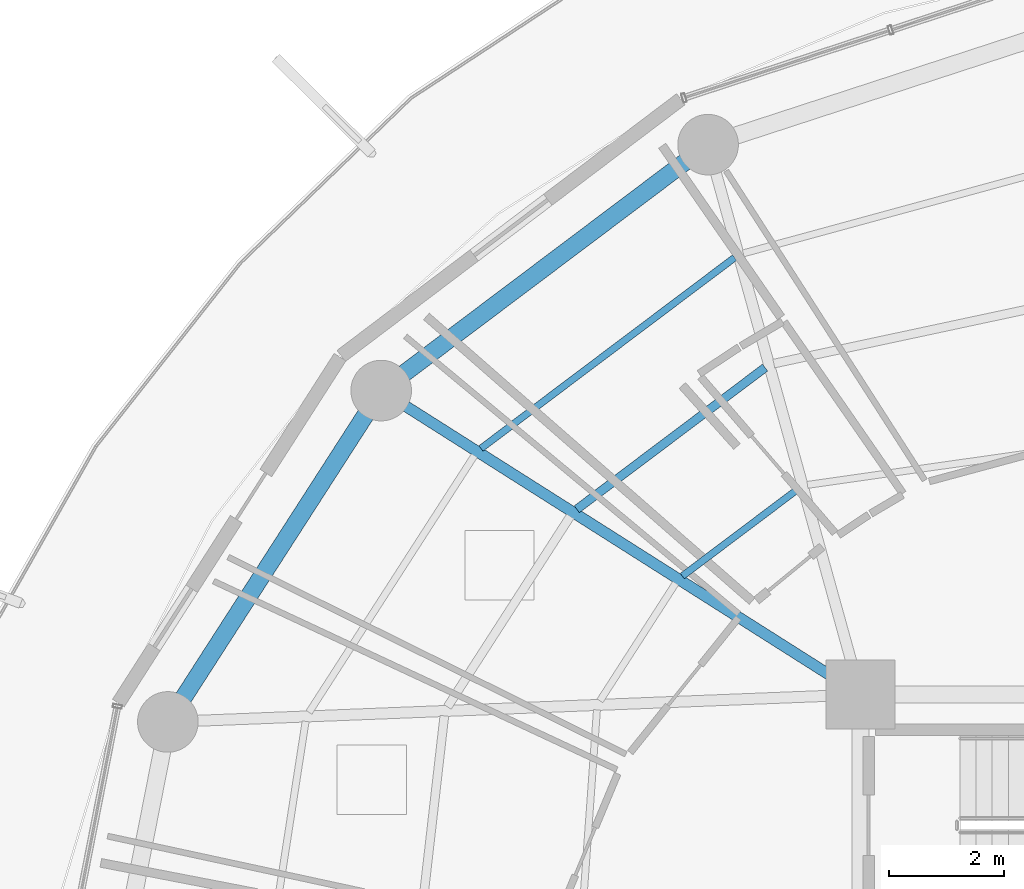
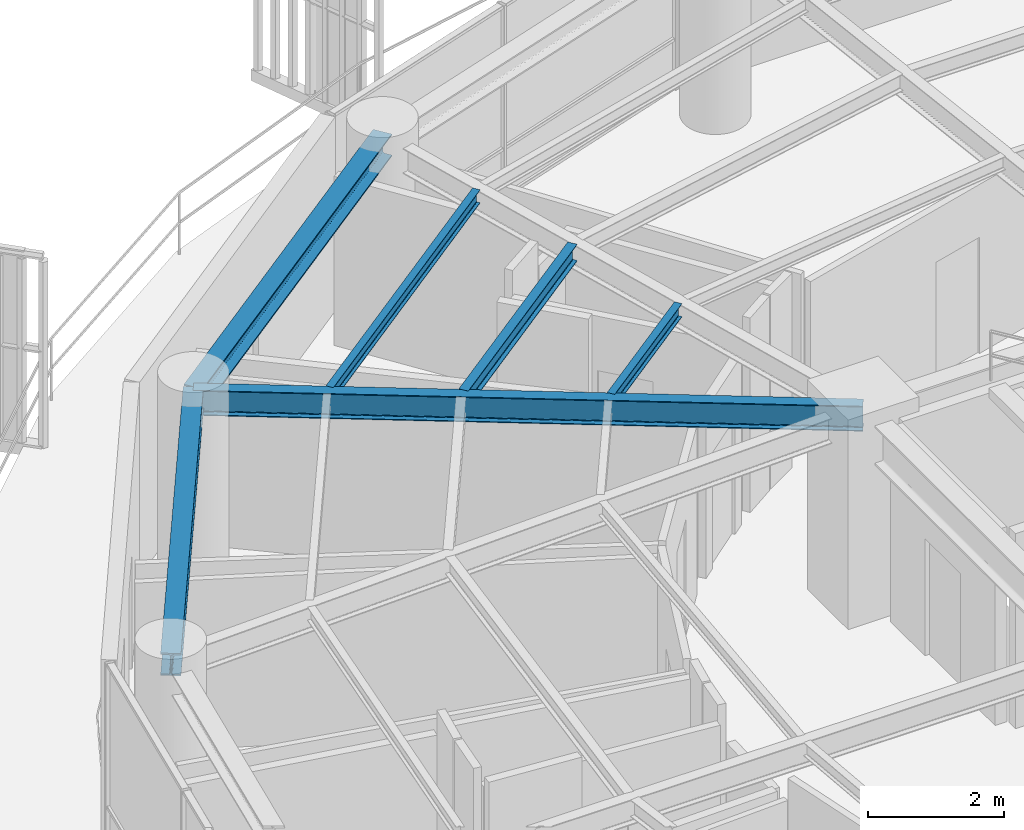
# One storey, part 17 of 31: 6 beams.
"""IFC4 building model written with IfcOpenShell, lengths in metres."""

from ifc_helpers import new_model, si_unit, direction, frame, origin, origin_2d, place, context, subcontext, project, spatial, i_section, extrude, material, material_profile, profile_set, type_object, element, save


model = new_model("IFC4")

# Units and contexts
model_context = context("Model", 3, precision=1e-05, world=origin(), true_north=direction((0.0, 1.0)))
body_context = subcontext(model_context, "Body", "Model", "MODEL_VIEW")
ifc_project = project(units=[si_unit("LENGTHUNIT", "METRE"), si_unit("AREAUNIT", "SQUARE_METRE"), si_unit("VOLUMEUNIT", "CUBIC_METRE"), si_unit("PLANEANGLEUNIT", "RADIAN"), si_unit("MASSUNIT", "GRAM", prefix="KILO")], contexts=[model_context])

# Site, building, storey
site_placement = place(None, origin())
site = spatial("IfcSite", under=ifc_project, at=site_placement, CompositionType="ELEMENT")
building_placement = place(site_placement, origin())
building = spatial("IfcBuilding", under=site, at=building_placement, Name="Kelanora Arch Commons", CompositionType="ELEMENT")
storey_placement = place(building_placement, frame((0.0, 0.0, 196.949951171875)))
storey = spatial("IfcBuildingStorey", under=building, at=storey_placement, Name="L50", CompositionType="ELEMENT", Elevation=196.949951171875)

# Beams
ifc_material = material(Name="Steel S355", Category="steel")
ifc_material_profile_1 = material_profile(ifc_material, i_section(OverallWidth=0.14990234375, OverallDepth=0.300048828125, WebThickness=0.007080078125, FlangeThickness=0.0107421875, FilletRadius=0.014892578125, at=origin_2d()), Name="IPE300")
ifc_profile_set_1 = profile_set([ifc_material_profile_1], Name="Steel S355")
beam_type_1 = type_object("IfcBeamType", Name="BM-JST-01", PredefinedType="JOIST", material=ifc_profile_set_1)
beam_1_placement = place(storey_placement, frame((64.34814453125, 70.6630859375, 3.340087890625), z_axis=(-0.799101708656, -0.601195857624, 0.0), x_axis=(0.601195857624, -0.799101708656, 0.0)))
element("IfcBeam", 1, at=beam_1_placement, inside=storey, type_object=beam_type_1, Name="Secondary Chord Joist BJB-12 L50", PredefinedType="JOIST", context=body_context, shape_type="SweptSolid", body=[
    extrude(i_section(OverallWidth=0.14990234375, OverallDepth=0.300048828125, WebThickness=0.007080078125, FlangeThickness=0.0107421875, FilletRadius=0.014892578125, at=origin_2d()), origin(), (0.0, 0.0, 1.0), 4.080810546875),
])
ifc_material_profile_2 = material_profile(ifc_material, i_section(OverallWidth=0.1201171875, OverallDepth=0.239990234375, WebThickness=0.006103515625, FlangeThickness=0.009765625, FilletRadius=0.014892578125, at=origin_2d()), Name="IPE240")
ifc_profile_set_2 = profile_set([ifc_material_profile_2], Name="Steel S355")
beam_type_2 = type_object("IfcBeamType", Name="BM-JST-02", PredefinedType="JOIST", material=ifc_profile_set_2)
beam_2_placement = place(storey_placement, frame((64.928955078125, 68.56787109375, 3.3701171875), z_axis=(-0.79911638933, -0.601176343766, 0.0), x_axis=(0.601176343766, -0.79911638933, 0.0)))
element("IfcBeam", 2, at=beam_2_placement, inside=storey, type_object=beam_type_2, Name="Secondary Chord Joist BJA-12 L50", PredefinedType="JOIST", context=body_context, shape_type="SweptSolid", body=[
    extrude(i_section(OverallWidth=0.1201171875, OverallDepth=0.239990234375, WebThickness=0.006103515625, FlangeThickness=0.009765625, FilletRadius=0.014892578125, at=origin_2d()), origin(), (0.0, 0.0, 1.0), 2.522216796875),
])
beam_3_placement = place(storey_placement, frame((63.820068359375, 72.56787109375, 3.3701171875), z_axis=(-0.799109197935, -0.601185902842, 0.0), x_axis=(0.601185902842, -0.799109197935, 0.0)))
element("IfcBeam", 3, at=beam_3_placement, inside=storey, type_object=beam_type_2, Name="Secondary Chord Joist BJC-12 L50", PredefinedType="JOIST", context=body_context, shape_type="SweptSolid", body=[
    extrude(i_section(OverallWidth=0.1201171875, OverallDepth=0.239990234375, WebThickness=0.006103515625, FlangeThickness=0.009765625, FilletRadius=0.014892578125, at=origin_2d()), origin(), (0.0, 0.0, 1.0), 5.497802734375),
])
ifc_material_profile_3 = material_profile(ifc_material, i_section(OverallWidth=0.18994140625, OverallDepth=0.449951171875, WebThickness=0.009521484375, FlangeThickness=0.0146484375, FilletRadius=0.02099609375, at=origin_2d()), Name="IPE450")
ifc_profile_set_3 = profile_set([ifc_material_profile_3], Name="Steel S355")
beam_type_3 = type_object("IfcBeamType", Name="BM-RAD-Z4", PredefinedType="BEAM", material=ifc_profile_set_3)
beam_4_placement = place(storey_placement, frame((66.0, 65.0, 3.26513671875), z_axis=(-0.844507208607, 0.535544185489, 0.0), x_axis=(-0.535544185489, -0.844507208607, 0.0)))
element("IfcBeam", 4, at=beam_4_placement, inside=storey, type_object=beam_type_3, Name="Radial Floor Girder BR-14 L50", PredefinedType="BEAM", context=body_context, shape_type="SweptSolid", body=[
    extrude(i_section(OverallWidth=0.18994140625, OverallDepth=0.449951171875, WebThickness=0.009521484375, FlangeThickness=0.0146484375, FilletRadius=0.02099609375, at=origin_2d()), origin(), (0.0, 0.0, 1.0), 9.830078125),
])
ifc_material_profile_4 = material_profile(ifc_material, i_section(OverallWidth=0.300048828125, OverallDepth=0.39990234375, WebThickness=0.013427734375, FlangeThickness=0.02392578125, FilletRadius=0.027099609375, at=origin_2d()), Name="HEB400")
ifc_profile_set_4 = profile_set([ifc_material_profile_4], Name="Steel S355")
beam_type_4 = type_object("IfcBeamType", Name="BM-SPN-Z4", PredefinedType="SPANDREL", material=ifc_profile_set_4)
beam_5_placement = place(storey_placement, frame((63.360107421875, 74.523681640625, 3.2900390625), z_axis=(-0.799114211715, -0.60117923836, 0.0), x_axis=(0.60117923836, -0.799114211715, 0.0)))
element("IfcBeam", 5, at=beam_5_placement, inside=storey, type_object=beam_type_4, Name="Perimeter Spandrel Beam BS-12 L50", PredefinedType="SPANDREL", context=body_context, shape_type="SweptSolid", body=[
    extrude(i_section(OverallWidth=0.300048828125, OverallDepth=0.39990234375, WebThickness=0.013427734375, FlangeThickness=0.02392578125, FilletRadius=0.027099609375, at=origin_2d()), origin(), (0.0, 0.0, 1.0), 7.0849609375),
])
beam_6_placement = place(storey_placement, frame((57.698486328125, 70.264404296875, 3.2900390625), z_axis=(-0.541364878868, -0.840787766281, 0.0), x_axis=(0.840787766281, -0.541364878868, 0.0)))
element("IfcBeam", 6, at=beam_6_placement, inside=storey, type_object=beam_type_4, Name="Perimeter Spandrel Beam BS-14 L50", PredefinedType="SPANDREL", context=body_context, shape_type="SweptSolid", body=[
    extrude(i_section(OverallWidth=0.300048828125, OverallDepth=0.39990234375, WebThickness=0.013427734375, FlangeThickness=0.02392578125, FilletRadius=0.027099609375, at=origin_2d()), origin(), (0.0, 0.0, 1.0), 6.825439453125),
])

save(model, "model.ifc")
